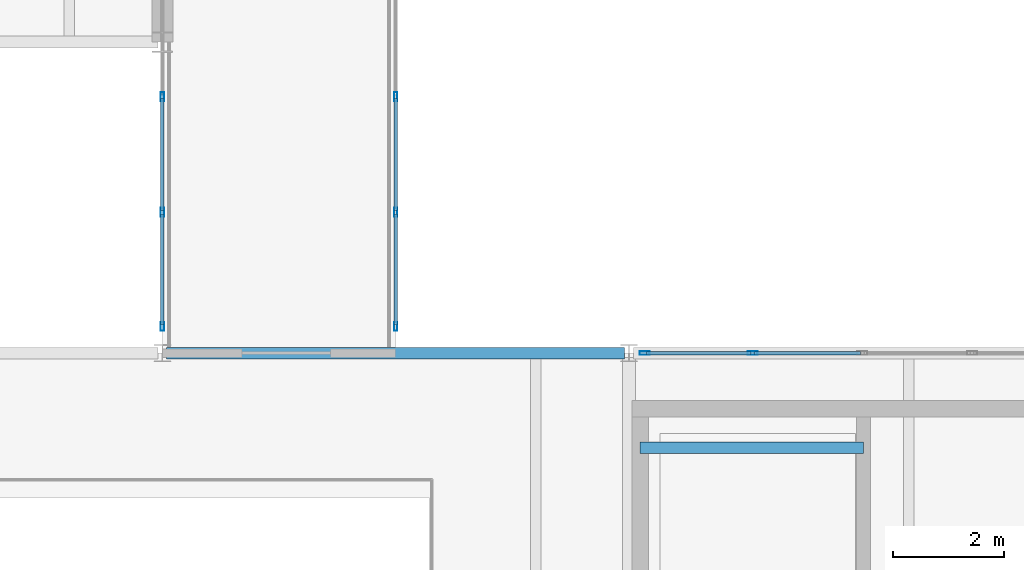
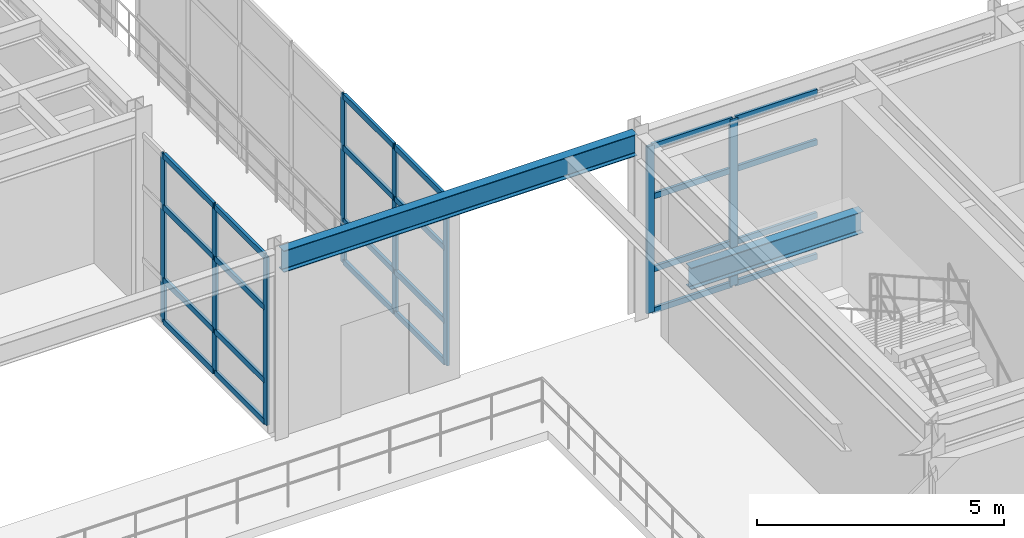
# One storey, part 43 of 116: 32 members, 2 beams, 3 elements without a shape of their own.
"""IFC4 building model written with IfcOpenShell, lengths in metres."""

from ifc_helpers import new_model, si_unit, direction, frame, origin, origin_2d, place, context, subcontext, project, spatial, hollow_rectangle, i_section, extrude, material, layer, layer_set, material_profile, profile_set, type_object, element, aggregate, save


model = new_model("IFC4")

# Units and contexts
model_context = context("Model", 3, precision=1e-05, world=origin(), true_north=direction((0.0, 1.0)))
body_context = subcontext(model_context, "Body", "Model", "MODEL_VIEW")
ifc_project = project(units=[si_unit("LENGTHUNIT", "METRE"), si_unit("AREAUNIT", "SQUARE_METRE"), si_unit("VOLUMEUNIT", "CUBIC_METRE"), si_unit("PLANEANGLEUNIT", "RADIAN"), si_unit("MASSUNIT", "GRAM", prefix="KILO")], contexts=[model_context])

# Site, building, storey
site_placement = place(None, origin())
site = spatial("IfcSite", under=ifc_project, at=site_placement, CompositionType="ELEMENT")
building_placement = place(site_placement, origin())
building = spatial("IfcBuilding", under=site, at=building_placement, Name="Selat Folded Stagehouse", CompositionType="ELEMENT")
storey_placement = place(building_placement, frame((0.0, 0.0, 5.39990234375)))
storey = spatial("IfcBuildingStorey", under=building, at=storey_placement, Name="L01", CompositionType="ELEMENT", Elevation=5.39990234375)

# Beams
ifc_material_1 = material(Name="Steel S355", Category="steel")
ifc_material_profile_1 = material_profile(ifc_material_1, i_section(OverallWidth=0.209228515625, OverallDepth=0.533203125, WebThickness=0.010009765625, FlangeThickness=0.015625, FilletRadius=0.0126953125, at=origin_2d()), Name="UKB 533x210x92")
ifc_profile_set_1 = profile_set([ifc_material_profile_1], Name="Steel S355")
beam_type = type_object("IfcBeamType", Name="BM-GIRD-533x210x92", PredefinedType="BEAM", material=ifc_profile_set_1)
beam_1_placement = place(storey_placement, frame((67.277099609375, 17.800048828125, 4.3134765625), z_axis=(1.0, 0.0, 0.0), x_axis=(0.0, 1.0, 0.0)))
element("IfcBeam", 1, at=beam_1_placement, inside=storey, type_object=beam_type, Name="L01 primary x-girder 0770", PredefinedType="BEAM", context=body_context, shape_type="SweptSolid", body=[
    extrude(i_section(OverallWidth=0.209228515625, OverallDepth=0.533203125, WebThickness=0.010009765625, FlangeThickness=0.015625, FilletRadius=0.0126953125, at=origin_2d()), origin(), (0.0, 0.0, 1.0), 8.245849609375),
])
beam_2_placement = place(storey_placement, frame((75.800048828125, 16.10009765625, 1.93359375), z_axis=(1.0, 0.0, 0.0), x_axis=(0.0, 1.0, 0.0)))
element("IfcBeam", 2, at=beam_2_placement, inside=storey, type_object=beam_type, Name="L01 ST-03 landing support beam 2", PredefinedType="BEAM", context=body_context, shape_type="SweptSolid", body=[
    extrude(i_section(OverallWidth=0.209228515625, OverallDepth=0.533203125, WebThickness=0.010009765625, FlangeThickness=0.015625, FilletRadius=0.0126953125, at=origin_2d()), origin(), (0.0, 0.0, 1.0), 4.02001953125),
])

# Curtain wall, members
ifc_material_2 = material(Name="Aluminium 6063-T6", Category="aluminium")
ifc_layer_1 = layer(ifc_material_2, 0.175048828125)
ifc_layer_set_1 = layer_set([ifc_layer_1], Name="Aluminium 6063-T6")
curtain_wall_type_1 = type_object("IfcCurtainWallType", Name="CW-BRG-GLAZ", PredefinedType="NOTDEFINED", material=ifc_layer_set_1)
curtain_wall_1_placement = place(storey_placement, origin())
curtain_wall_1 = element("IfcCurtainWall", 3, at=curtain_wall_1_placement, inside=storey, type_object=curtain_wall_type_1, Name="L01 curtain wall CW-BRG-01", PredefinedType="NOTDEFINED")
ifc_material_profile_2 = material_profile(ifc_material_2, hollow_rectangle(XDim=0.06005859375, YDim=0.159912109375, WallThickness=0.00390625, at=origin_2d()), Name="ALU 160x60x4.0")
ifc_profile_set_2 = profile_set([ifc_material_profile_2], Name="Aluminium 6063-T6")
member_type_1 = type_object("IfcMemberType", Name="CWM-MUL-160x60", PredefinedType="MULLION", material=ifc_profile_set_2)
member_1_placement = place(storey_placement, frame((67.199951171875, 18.280029296875, 0.0), z_axis=(0.0, 0.0, 1.0), x_axis=(-1.0, 0.0, 0.0)))
member_1 = element("IfcMember", 4, at=member_1_placement, type_object=member_type_1, Name="CW-07 mullion 1", PredefinedType="MULLION", context=body_context, shape_type="SweptSolid", body=[
    extrude(hollow_rectangle(XDim=0.06005859375, YDim=0.159912109375, WallThickness=0.00390625, at=origin_2d()), origin(), (0.0, 0.0, 1.0), 4.150146484375),
])
member_2_placement = place(storey_placement, frame((67.199951171875, 20.333251953125, 0.0), z_axis=(0.0, 0.0, 1.0), x_axis=(-1.0, 0.0, 0.0)))
member_2 = element("IfcMember", 5, at=member_2_placement, type_object=member_type_1, Name="CW-07 mullion 2", PredefinedType="MULLION", context=body_context, shape_type="SweptSolid", body=[
    extrude(hollow_rectangle(XDim=0.06005859375, YDim=0.159912109375, WallThickness=0.00390625, at=origin_2d()), origin(), (0.0, 0.0, 1.0), 4.150146484375),
])
member_3_placement = place(storey_placement, frame((67.199951171875, 22.416748046875, 0.0), z_axis=(0.0, 0.0, 1.0), x_axis=(-1.0, 0.0, 0.0)))
member_3 = element("IfcMember", 6, at=member_3_placement, type_object=member_type_1, Name="CW-07 mullion 3", PredefinedType="MULLION", context=body_context, shape_type="SweptSolid", body=[
    extrude(hollow_rectangle(XDim=0.06005859375, YDim=0.159912109375, WallThickness=0.00390625, at=origin_2d()), origin(), (0.0, 0.0, 1.0), 4.150146484375),
])

curtain_wall_2_placement = place(storey_placement, origin())
curtain_wall_2 = element("IfcCurtainWall", 7, at=curtain_wall_2_placement, inside=storey, type_object=curtain_wall_type_1, Name="L01 curtain wall CW-BRG-06", PredefinedType="NOTDEFINED")
member_4_placement = place(storey_placement, frame((71.39990234375, 22.416748046875, 0.0), z_axis=(0.0, 0.0, 1.0), x_axis=(1.0, 0.0, 0.0)))
member_4 = element("IfcMember", 8, at=member_4_placement, type_object=member_type_1, Name="CW-07 mullion 5", PredefinedType="MULLION", context=body_context, shape_type="SweptSolid", body=[
    extrude(hollow_rectangle(XDim=0.06005859375, YDim=0.159912109375, WallThickness=0.00390625, at=origin_2d()), origin(), (0.0, 0.0, 1.0), 4.150146484375),
])
member_5_placement = place(storey_placement, frame((71.39990234375, 20.333251953125, 0.0), z_axis=(0.0, 0.0, 1.0), x_axis=(1.0, 0.0, 0.0)))
member_5 = element("IfcMember", 9, at=member_5_placement, type_object=member_type_1, Name="CW-07 mullion 6", PredefinedType="MULLION", context=body_context, shape_type="SweptSolid", body=[
    extrude(hollow_rectangle(XDim=0.06005859375, YDim=0.159912109375, WallThickness=0.00390625, at=origin_2d()), origin(), (0.0, 0.0, 1.0), 4.150146484375),
])
member_6_placement = place(storey_placement, frame((71.39990234375, 18.280029296875, 0.0), z_axis=(0.0, 0.0, 1.0), x_axis=(1.0, 0.0, 0.0)))
member_6 = element("IfcMember", 10, at=member_6_placement, type_object=member_type_1, Name="CW-07 mullion 7", PredefinedType="MULLION", context=body_context, shape_type="SweptSolid", body=[
    extrude(hollow_rectangle(XDim=0.06005859375, YDim=0.159912109375, WallThickness=0.00390625, at=origin_2d()), origin(), (0.0, 0.0, 1.0), 4.150146484375),
])

ifc_layer_2 = layer(ifc_material_2, 0.195068359375)
ifc_layer_set_2 = layer_set([ifc_layer_2], Name="Aluminium 6063-T6")
curtain_wall_type_2 = type_object("IfcCurtainWallType", Name="CW-FYR-COURT", PredefinedType="NOTDEFINED", material=ifc_layer_set_2)
curtain_wall_3_placement = place(storey_placement, origin())
curtain_wall_3 = element("IfcCurtainWall", 11, at=curtain_wall_3_placement, inside=storey, type_object=curtain_wall_type_2, Name="L01 curtain wall CW-FYR-L01-10", PredefinedType="NOTDEFINED")
ifc_material_profile_3 = material_profile(ifc_material_2, hollow_rectangle(XDim=0.06494140625, YDim=0.179931640625, WallThickness=0.00390625, at=origin_2d()), Name="ALU 180x65x4.0")
ifc_profile_set_3 = profile_set([ifc_material_profile_3], Name="Aluminium 6063-T6")
member_type_2 = type_object("IfcMemberType", Name="CWM-MUL-180x65", PredefinedType="MULLION", material=ifc_profile_set_3)
member_7_placement = place(storey_placement, frame((75.882568359375, 17.800048828125, 0.0), z_axis=(0.0, 0.0, 1.0), x_axis=(0.0, 1.0, 0.0)))
member_7 = element("IfcMember", 12, at=member_7_placement, type_object=member_type_2, Name="CW-05 mullion 1", PredefinedType="MULLION", context=body_context, shape_type="SweptSolid", body=[
    extrude(hollow_rectangle(XDim=0.06494140625, YDim=0.179931640625, WallThickness=0.00390625, at=origin_2d()), origin(), (0.0, 0.0, 1.0), 4.1201171875),
])
member_8_placement = place(storey_placement, frame((77.824951171875, 17.800048828125, 0.0), z_axis=(0.0, 0.0, 1.0), x_axis=(0.0, 1.0, 0.0)))
member_8 = element("IfcMember", 13, at=member_8_placement, type_object=member_type_2, Name="CW-05 mullion 2", PredefinedType="MULLION", context=body_context, shape_type="SweptSolid", body=[
    extrude(hollow_rectangle(XDim=0.06494140625, YDim=0.179931640625, WallThickness=0.00390625, at=origin_2d()), origin(), (0.0, 0.0, 1.0), 4.1201171875),
])
ifc_material_profile_4 = material_profile(ifc_material_2, hollow_rectangle(XDim=0.06494140625, YDim=0.139892578125, WallThickness=0.00390625, at=origin_2d()), Name="ALU 140x65x4.0")
ifc_profile_set_4 = profile_set([ifc_material_profile_4], Name="Aluminium 6063-T6")
member_type_3 = type_object("IfcMemberType", Name="CWM-TRN-140x65", PredefinedType="USERDEFINED", material=ifc_profile_set_4)
member_9_placement = place(storey_placement, frame((75.9150390625, 17.800048828125, 0.03271484375), z_axis=(1.0, 0.0, 0.0), x_axis=(0.0, 1.0, 0.0)))
member_9 = element("IfcMember", 14, at=member_9_placement, type_object=member_type_3, Name="CW-05 transom 1.1", ObjectType="TRANSOM", PredefinedType="USERDEFINED", context=body_context, shape_type="SweptSolid", body=[
    extrude(hollow_rectangle(XDim=0.06494140625, YDim=0.139892578125, WallThickness=0.00390625, at=origin_2d()), origin(), (0.0, 0.0, 1.0), 1.87744140625),
])
member_10_placement = place(storey_placement, frame((75.9150390625, 17.800048828125, 1.050048828125), z_axis=(1.0, 0.0, 0.0), x_axis=(0.0, 1.0, 0.0)))
member_10 = element("IfcMember", 15, at=member_10_placement, type_object=member_type_3, Name="CW-05 transom 1.2", ObjectType="TRANSOM", PredefinedType="USERDEFINED", context=body_context, shape_type="SweptSolid", body=[
    extrude(hollow_rectangle(XDim=0.06494140625, YDim=0.139892578125, WallThickness=0.00390625, at=origin_2d()), origin(), (0.0, 0.0, 1.0), 1.87744140625),
])
member_11_placement = place(storey_placement, frame((75.9150390625, 17.800048828125, 2.85009765625), z_axis=(1.0, 0.0, 0.0), x_axis=(0.0, 1.0, 0.0)))
member_11 = element("IfcMember", 16, at=member_11_placement, type_object=member_type_3, Name="CW-05 transom 1.3", ObjectType="TRANSOM", PredefinedType="USERDEFINED", context=body_context, shape_type="SweptSolid", body=[
    extrude(hollow_rectangle(XDim=0.06494140625, YDim=0.139892578125, WallThickness=0.00390625, at=origin_2d()), origin(), (0.0, 0.0, 1.0), 1.87744140625),
])
member_12_placement = place(storey_placement, frame((75.9150390625, 17.800048828125, 4.087646484375), z_axis=(1.0, 0.0, 0.0), x_axis=(0.0, 1.0, 0.0)))
member_12 = element("IfcMember", 17, at=member_12_placement, type_object=member_type_3, Name="CW-05 transom 1.4", ObjectType="TRANSOM", PredefinedType="USERDEFINED", context=body_context, shape_type="SweptSolid", body=[
    extrude(hollow_rectangle(XDim=0.06494140625, YDim=0.139892578125, WallThickness=0.00390625, at=origin_2d()), origin(), (0.0, 0.0, 1.0), 1.87744140625),
])
member_13_placement = place(storey_placement, frame((77.857421875, 17.800048828125, 0.03271484375), z_axis=(1.0, 0.0, 0.0), x_axis=(0.0, 1.0, 0.0)))
member_13 = element("IfcMember", 18, at=member_13_placement, type_object=member_type_3, Name="CW-05 transom 2.1", ObjectType="TRANSOM", PredefinedType="USERDEFINED", context=body_context, shape_type="SweptSolid", body=[
    extrude(hollow_rectangle(XDim=0.06494140625, YDim=0.139892578125, WallThickness=0.00390625, at=origin_2d()), origin(), (0.0, 0.0, 1.0), 1.91015625),
])
member_14_placement = place(storey_placement, frame((77.857421875, 17.800048828125, 1.050048828125), z_axis=(1.0, 0.0, 0.0), x_axis=(0.0, 1.0, 0.0)))
member_14 = element("IfcMember", 19, at=member_14_placement, type_object=member_type_3, Name="CW-05 transom 2.2", ObjectType="TRANSOM", PredefinedType="USERDEFINED", context=body_context, shape_type="SweptSolid", body=[
    extrude(hollow_rectangle(XDim=0.06494140625, YDim=0.139892578125, WallThickness=0.00390625, at=origin_2d()), origin(), (0.0, 0.0, 1.0), 1.91015625),
])
member_15_placement = place(storey_placement, frame((77.857421875, 17.800048828125, 2.85009765625), z_axis=(1.0, 0.0, 0.0), x_axis=(0.0, 1.0, 0.0)))
member_15 = element("IfcMember", 20, at=member_15_placement, type_object=member_type_3, Name="CW-05 transom 2.3", ObjectType="TRANSOM", PredefinedType="USERDEFINED", context=body_context, shape_type="SweptSolid", body=[
    extrude(hollow_rectangle(XDim=0.06494140625, YDim=0.139892578125, WallThickness=0.00390625, at=origin_2d()), origin(), (0.0, 0.0, 1.0), 1.91015625),
])
member_16_placement = place(storey_placement, frame((77.857421875, 17.800048828125, 4.087646484375), z_axis=(1.0, 0.0, 0.0), x_axis=(0.0, 1.0, 0.0)))
member_16 = element("IfcMember", 21, at=member_16_placement, type_object=member_type_3, Name="CW-05 transom 2.4", ObjectType="TRANSOM", PredefinedType="USERDEFINED", context=body_context, shape_type="SweptSolid", body=[
    extrude(hollow_rectangle(XDim=0.06494140625, YDim=0.139892578125, WallThickness=0.00390625, at=origin_2d()), origin(), (0.0, 0.0, 1.0), 1.91015625),
])
aggregate(curtain_wall_3, [member_7, member_8, member_9, member_10, member_11, member_12, member_13, member_14, member_15, member_16])

# Member
member_17_placement = place(storey_placement, frame((67.199951171875, 18.31005859375, 0.03271484375), z_axis=(0.0, 1.0, 0.0), x_axis=(-1.0, 0.0, 0.0)))
member_17 = element("IfcMember", 22, at=member_17_placement, type_object=member_type_3, Name="CW-07 transom 1.1", ObjectType="TRANSOM", PredefinedType="USERDEFINED", context=body_context, shape_type="SweptSolid", body=[
    extrude(hollow_rectangle(XDim=0.06494140625, YDim=0.139892578125, WallThickness=0.00390625, at=origin_2d()), origin(), (0.0, 0.0, 1.0), 1.9931640625),
])

member_18_placement = place(storey_placement, frame((67.199951171875, 18.31005859375, 1.050048828125), z_axis=(0.0, 1.0, 0.0), x_axis=(-1.0, 0.0, 0.0)))
member_18 = element("IfcMember", 23, at=member_18_placement, type_object=member_type_3, Name="CW-07 transom 1.2", ObjectType="TRANSOM", PredefinedType="USERDEFINED", context=body_context, shape_type="SweptSolid", body=[
    extrude(hollow_rectangle(XDim=0.06494140625, YDim=0.139892578125, WallThickness=0.00390625, at=origin_2d()), origin(), (0.0, 0.0, 1.0), 1.9931640625),
])

member_19_placement = place(storey_placement, frame((67.199951171875, 18.31005859375, 2.85009765625), z_axis=(0.0, 1.0, 0.0), x_axis=(-1.0, 0.0, 0.0)))
member_19 = element("IfcMember", 24, at=member_19_placement, type_object=member_type_3, Name="CW-07 transom 1.3", ObjectType="TRANSOM", PredefinedType="USERDEFINED", context=body_context, shape_type="SweptSolid", body=[
    extrude(hollow_rectangle(XDim=0.06494140625, YDim=0.139892578125, WallThickness=0.00390625, at=origin_2d()), origin(), (0.0, 0.0, 1.0), 1.9931640625),
])

member_20_placement = place(storey_placement, frame((67.199951171875, 18.31005859375, 4.11767578125), z_axis=(0.0, 1.0, 0.0), x_axis=(-1.0, 0.0, 0.0)))
member_20 = element("IfcMember", 25, at=member_20_placement, type_object=member_type_3, Name="CW-07 transom 1.4", ObjectType="TRANSOM", PredefinedType="USERDEFINED", context=body_context, shape_type="SweptSolid", body=[
    extrude(hollow_rectangle(XDim=0.06494140625, YDim=0.139892578125, WallThickness=0.00390625, at=origin_2d()), origin(), (0.0, 0.0, 1.0), 1.9931640625),
])

member_21_placement = place(storey_placement, frame((67.199951171875, 20.36328125, 0.03271484375), z_axis=(0.0, 1.0, 0.0), x_axis=(-1.0, 0.0, 0.0)))
member_21 = element("IfcMember", 26, at=member_21_placement, type_object=member_type_3, Name="CW-07 transom 2.1", ObjectType="TRANSOM", PredefinedType="USERDEFINED", context=body_context, shape_type="SweptSolid", body=[
    extrude(hollow_rectangle(XDim=0.06494140625, YDim=0.139892578125, WallThickness=0.00390625, at=origin_2d()), origin(), (0.0, 0.0, 1.0), 2.0234375),
])

member_22_placement = place(storey_placement, frame((67.199951171875, 20.36328125, 1.050048828125), z_axis=(0.0, 1.0, 0.0), x_axis=(-1.0, 0.0, 0.0)))
member_22 = element("IfcMember", 27, at=member_22_placement, type_object=member_type_3, Name="CW-07 transom 2.2", ObjectType="TRANSOM", PredefinedType="USERDEFINED", context=body_context, shape_type="SweptSolid", body=[
    extrude(hollow_rectangle(XDim=0.06494140625, YDim=0.139892578125, WallThickness=0.00390625, at=origin_2d()), origin(), (0.0, 0.0, 1.0), 2.0234375),
])

member_23_placement = place(storey_placement, frame((67.199951171875, 20.36328125, 2.85009765625), z_axis=(0.0, 1.0, 0.0), x_axis=(-1.0, 0.0, 0.0)))
member_23 = element("IfcMember", 28, at=member_23_placement, type_object=member_type_3, Name="CW-07 transom 2.3", ObjectType="TRANSOM", PredefinedType="USERDEFINED", context=body_context, shape_type="SweptSolid", body=[
    extrude(hollow_rectangle(XDim=0.06494140625, YDim=0.139892578125, WallThickness=0.00390625, at=origin_2d()), origin(), (0.0, 0.0, 1.0), 2.0234375),
])

member_24_placement = place(storey_placement, frame((67.199951171875, 20.36328125, 4.11767578125), z_axis=(0.0, 1.0, 0.0), x_axis=(-1.0, 0.0, 0.0)))
member_24 = element("IfcMember", 29, at=member_24_placement, type_object=member_type_3, Name="CW-07 transom 2.4", ObjectType="TRANSOM", PredefinedType="USERDEFINED", context=body_context, shape_type="SweptSolid", body=[
    extrude(hollow_rectangle(XDim=0.06494140625, YDim=0.139892578125, WallThickness=0.00390625, at=origin_2d()), origin(), (0.0, 0.0, 1.0), 2.0234375),
])

aggregate(curtain_wall_1, [member_1, member_2, member_3, member_17, member_18, member_19, member_20, member_21, member_22, member_23, member_24])

member_25_placement = place(storey_placement, frame((71.39990234375, 22.38671875, 0.03271484375), z_axis=(0.0, -1.0, 0.0), x_axis=(1.0, 0.0, 0.0)))
member_25 = element("IfcMember", 30, at=member_25_placement, type_object=member_type_3, Name="CW-07 transom 5.1", ObjectType="TRANSOM", PredefinedType="USERDEFINED", context=body_context, shape_type="SweptSolid", body=[
    extrude(hollow_rectangle(XDim=0.06494140625, YDim=0.139892578125, WallThickness=0.00390625, at=origin_2d()), origin(), (0.0, 0.0, 1.0), 2.0234375),
])

member_26_placement = place(storey_placement, frame((71.39990234375, 22.38671875, 1.050048828125), z_axis=(0.0, -1.0, 0.0), x_axis=(1.0, 0.0, 0.0)))
member_26 = element("IfcMember", 31, at=member_26_placement, type_object=member_type_3, Name="CW-07 transom 5.2", ObjectType="TRANSOM", PredefinedType="USERDEFINED", context=body_context, shape_type="SweptSolid", body=[
    extrude(hollow_rectangle(XDim=0.06494140625, YDim=0.139892578125, WallThickness=0.00390625, at=origin_2d()), origin(), (0.0, 0.0, 1.0), 2.0234375),
])

member_27_placement = place(storey_placement, frame((71.39990234375, 22.38671875, 2.85009765625), z_axis=(0.0, -1.0, 0.0), x_axis=(1.0, 0.0, 0.0)))
member_27 = element("IfcMember", 32, at=member_27_placement, type_object=member_type_3, Name="CW-07 transom 5.3", ObjectType="TRANSOM", PredefinedType="USERDEFINED", context=body_context, shape_type="SweptSolid", body=[
    extrude(hollow_rectangle(XDim=0.06494140625, YDim=0.139892578125, WallThickness=0.00390625, at=origin_2d()), origin(), (0.0, 0.0, 1.0), 2.0234375),
])

member_28_placement = place(storey_placement, frame((71.39990234375, 22.38671875, 4.11767578125), z_axis=(0.0, -1.0, 0.0), x_axis=(1.0, 0.0, 0.0)))
member_28 = element("IfcMember", 33, at=member_28_placement, type_object=member_type_3, Name="CW-07 transom 5.4", ObjectType="TRANSOM", PredefinedType="USERDEFINED", context=body_context, shape_type="SweptSolid", body=[
    extrude(hollow_rectangle(XDim=0.06494140625, YDim=0.139892578125, WallThickness=0.00390625, at=origin_2d()), origin(), (0.0, 0.0, 1.0), 2.0234375),
])

member_29_placement = place(storey_placement, frame((71.39990234375, 20.30322265625, 0.03271484375), z_axis=(0.0, -1.0, 0.0), x_axis=(1.0, 0.0, 0.0)))
member_29 = element("IfcMember", 34, at=member_29_placement, type_object=member_type_3, Name="CW-07 transom 6.1", ObjectType="TRANSOM", PredefinedType="USERDEFINED", context=body_context, shape_type="SweptSolid", body=[
    extrude(hollow_rectangle(XDim=0.06494140625, YDim=0.139892578125, WallThickness=0.00390625, at=origin_2d()), origin(), (0.0, 0.0, 1.0), 1.9931640625),
])

member_30_placement = place(storey_placement, frame((71.39990234375, 20.30322265625, 1.050048828125), z_axis=(0.0, -1.0, 0.0), x_axis=(1.0, 0.0, 0.0)))
member_30 = element("IfcMember", 35, at=member_30_placement, type_object=member_type_3, Name="CW-07 transom 6.2", ObjectType="TRANSOM", PredefinedType="USERDEFINED", context=body_context, shape_type="SweptSolid", body=[
    extrude(hollow_rectangle(XDim=0.06494140625, YDim=0.139892578125, WallThickness=0.00390625, at=origin_2d()), origin(), (0.0, 0.0, 1.0), 1.9931640625),
])

member_31_placement = place(storey_placement, frame((71.39990234375, 20.30322265625, 2.85009765625), z_axis=(0.0, -1.0, 0.0), x_axis=(1.0, 0.0, 0.0)))
member_31 = element("IfcMember", 36, at=member_31_placement, type_object=member_type_3, Name="CW-07 transom 6.3", ObjectType="TRANSOM", PredefinedType="USERDEFINED", context=body_context, shape_type="SweptSolid", body=[
    extrude(hollow_rectangle(XDim=0.06494140625, YDim=0.139892578125, WallThickness=0.00390625, at=origin_2d()), origin(), (0.0, 0.0, 1.0), 1.9931640625),
])

member_32_placement = place(storey_placement, frame((71.39990234375, 20.30322265625, 4.11767578125), z_axis=(0.0, -1.0, 0.0), x_axis=(1.0, 0.0, 0.0)))
member_32 = element("IfcMember", 37, at=member_32_placement, type_object=member_type_3, Name="CW-07 transom 6.4", ObjectType="TRANSOM", PredefinedType="USERDEFINED", context=body_context, shape_type="SweptSolid", body=[
    extrude(hollow_rectangle(XDim=0.06494140625, YDim=0.139892578125, WallThickness=0.00390625, at=origin_2d()), origin(), (0.0, 0.0, 1.0), 1.9931640625),
])

aggregate(curtain_wall_2, [member_4, member_5, member_6, member_25, member_26, member_27, member_28, member_29, member_30, member_31, member_32])

save(model, "model.ifc")
